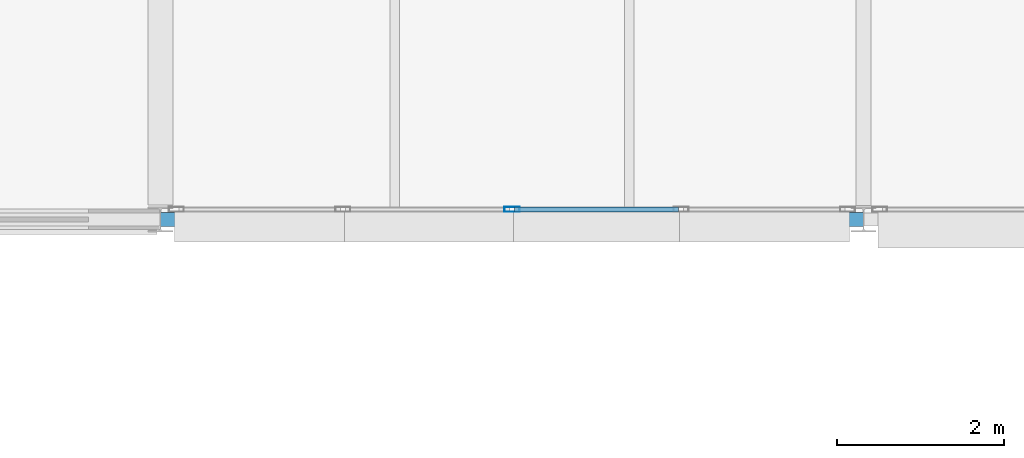
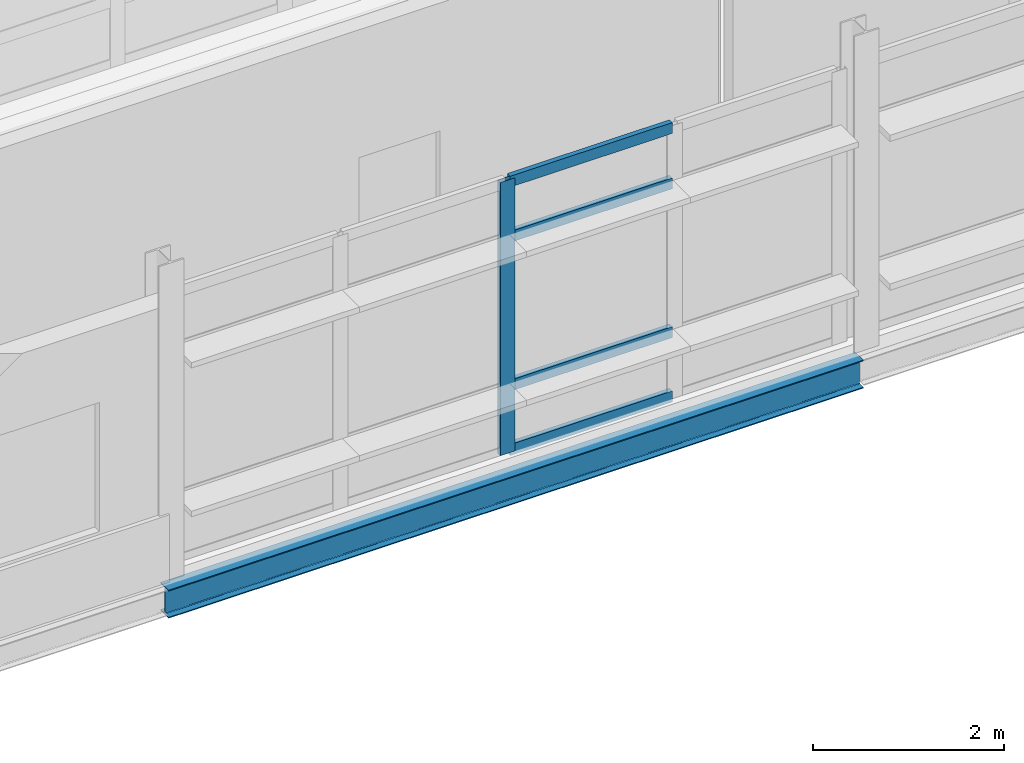
# One storey, part 19 of 57: 5 members, 1 beam, 1 element without a shape of its own.
"""IFC4 building model written with IfcOpenShell, lengths in metres."""

from ifc_helpers import new_model, si_unit, direction, frame, origin, origin_2d, place, context, subcontext, project, spatial, hollow_rectangle, i_section, extrude, material, material_profile, profile_set, type_object, element, aggregate, save


model = new_model("IFC4")

# Units and contexts
model_context = context("Model", 3, precision=1e-05, world=origin(), true_north=direction((0.0, 1.0)))
body_context = subcontext(model_context, "Body", "Model", "MODEL_VIEW")
ifc_project = project(units=[si_unit("LENGTHUNIT", "METRE"), si_unit("AREAUNIT", "SQUARE_METRE"), si_unit("VOLUMEUNIT", "CUBIC_METRE"), si_unit("PLANEANGLEUNIT", "RADIAN"), si_unit("MASSUNIT", "GRAM", prefix="KILO")], contexts=[model_context])

# Site, building, storey
site_placement = place(None, origin())
site = spatial("IfcSite", under=ifc_project, at=site_placement, CompositionType="ELEMENT")
building_placement = place(site_placement, origin())
building = spatial("IfcBuilding", under=site, at=building_placement, Name="Mersafa Astral City Hall", CompositionType="ELEMENT")
storey_placement = place(building_placement, frame((0.0, 0.0, 26.10009765625)))
storey = spatial("IfcBuildingStorey", under=building, at=storey_placement, Name="L06", CompositionType="ELEMENT", Elevation=26.10009765625)

# Curtain wall, members
ifc_material_1 = material(Name="Anodised bronze aluminium framing", Category="aluminium")
curtain_wall_type = type_object("IfcCurtainWallType", Name="ENV-CW-2", PredefinedType="USERDEFINED", material=ifc_material_1)
curtain_wall_placement = place(storey_placement, origin())
curtain_wall = element("IfcCurtainWall", 1, at=curtain_wall_placement, inside=storey, type_object=curtain_wall_type, Name="L06 Unitised solar curtain wall 265", ObjectType="UNITISED CURTAIN WALL", PredefinedType="USERDEFINED")
ifc_material_profile_1 = material_profile(ifc_material_1, hollow_rectangle(XDim=0.06005859375, YDim=0.179931640625, WallThickness=0.00390625, at=origin_2d()), Name="RHS 60x180x4")
ifc_profile_set_1 = profile_set([ifc_material_profile_1], Name="Anodised bronze aluminium framing")
member_type_1 = type_object("IfcMemberType", Name="ENV-CW-MUL-1", PredefinedType="MULLION", material=ifc_profile_set_1)
member_1_placement = place(storey_placement, frame((88.199951171875, 117.719970703125, -0.002197265625), z_axis=(0.0, 0.0, 1.0), x_axis=(0.0, 1.0, 0.0)))
member_1 = element("IfcMember", 2, at=member_1_placement, type_object=member_type_1, Name="CW-2 mullion 3", PredefinedType="MULLION", context=body_context, shape_type="SweptSolid", body=[
    extrude(hollow_rectangle(XDim=0.06005859375, YDim=0.179931640625, WallThickness=0.00390625, at=origin_2d()), origin(), (0.0, 0.0, 1.0), 3.489013671875),
])
ifc_material_profile_2 = material_profile(ifc_material_1, hollow_rectangle(XDim=0.06005859375, YDim=0.139892578125, WallThickness=0.00390625, at=origin_2d()), Name="RHS 60x140x4")
ifc_profile_set_2 = profile_set([ifc_material_profile_2], Name="Anodised bronze aluminium framing")
member_type_2 = type_object("IfcMemberType", Name="ENV-CW-TRN-1", PredefinedType="USERDEFINED", material=ifc_profile_set_2)
member_2_placement = place(storey_placement, frame((88.22998046875, 117.719970703125, 0.02783203125), z_axis=(1.0, 0.0, 0.0), x_axis=(0.0, 1.0, 0.0)))
member_2 = element("IfcMember", 3, at=member_2_placement, type_object=member_type_2, Name="CW-2 transom 3.1", ObjectType="TRANSOM", PredefinedType="USERDEFINED", context=body_context, shape_type="SweptSolid", body=[
    extrude(hollow_rectangle(XDim=0.06005859375, YDim=0.139892578125, WallThickness=0.00390625, at=origin_2d()), origin(), (0.0, 0.0, 1.0), 1.958984375),
])
member_3_placement = place(storey_placement, frame((88.22998046875, 117.719970703125, 0.849853515625), z_axis=(1.0, 0.0, 0.0), x_axis=(0.0, 1.0, 0.0)))
member_3 = element("IfcMember", 4, at=member_3_placement, type_object=member_type_2, Name="CW-2 transom 3.2", ObjectType="TRANSOM", PredefinedType="USERDEFINED", context=body_context, shape_type="SweptSolid", body=[
    extrude(hollow_rectangle(XDim=0.06005859375, YDim=0.139892578125, WallThickness=0.00390625, at=origin_2d()), origin(), (0.0, 0.0, 1.0), 1.958984375),
])
member_4_placement = place(storey_placement, frame((88.22998046875, 117.719970703125, 2.75), z_axis=(1.0, 0.0, 0.0), x_axis=(0.0, 1.0, 0.0)))
member_4 = element("IfcMember", 5, at=member_4_placement, type_object=member_type_2, Name="CW-2 transom 3.3", ObjectType="TRANSOM", PredefinedType="USERDEFINED", context=body_context, shape_type="SweptSolid", body=[
    extrude(hollow_rectangle(XDim=0.06005859375, YDim=0.139892578125, WallThickness=0.00390625, at=origin_2d()), origin(), (0.0, 0.0, 1.0), 1.958984375),
])
member_5_placement = place(storey_placement, frame((88.22998046875, 117.719970703125, 3.456787109375), z_axis=(1.0, 0.0, 0.0), x_axis=(0.0, 1.0, 0.0)))
member_5 = element("IfcMember", 6, at=member_5_placement, type_object=member_type_2, Name="CW-2 transom 3.4", ObjectType="TRANSOM", PredefinedType="USERDEFINED", context=body_context, shape_type="SweptSolid", body=[
    extrude(hollow_rectangle(XDim=0.06005859375, YDim=0.139892578125, WallThickness=0.00390625, at=origin_2d()), origin(), (0.0, 0.0, 1.0), 1.958984375),
])
aggregate(curtain_wall, [member_1, member_2, member_3, member_4, member_5])

# Beam
ifc_material_2 = material(Name="Steel S355", Category="steel")
ifc_material_profile_3 = material_profile(ifc_material_2, i_section(OverallWidth=0.169921875, OverallDepth=0.360107421875, WebThickness=0.008056640625, FlangeThickness=0.0126953125, FilletRadius=0.01806640625, at=origin_2d()), Name="IPE 360")
ifc_profile_set_3 = profile_set([ifc_material_profile_3], Name="Steel S355")
beam_type = type_object("IfcBeamType", Name="STR-BM-SPANDREL-IPE360", PredefinedType="SPANDREL", material=ifc_profile_set_3)
beam_placement = place(storey_placement, frame((84.0029296875, 117.60009765625, -0.35498046875), z_axis=(1.0, 0.0, 0.0), x_axis=(0.0, 1.0, 0.0)))
element("IfcBeam", 7, at=beam_placement, inside=storey, type_object=beam_type, Name="L06 Primary girder X 10-14", PredefinedType="SPANDREL", context=body_context, shape_type="SweptSolid", body=[
    extrude(i_section(OverallWidth=0.169921875, OverallDepth=0.360107421875, WebThickness=0.008056640625, FlangeThickness=0.0126953125, FilletRadius=0.01806640625, at=origin_2d()), origin(), (0.0, 0.0, 1.0), 8.39404296875),
])

save(model, "model.ifc")
